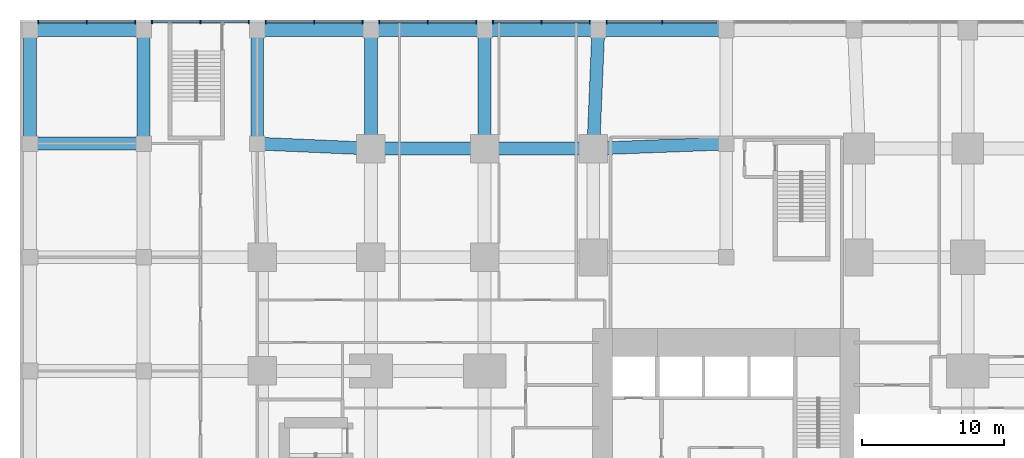
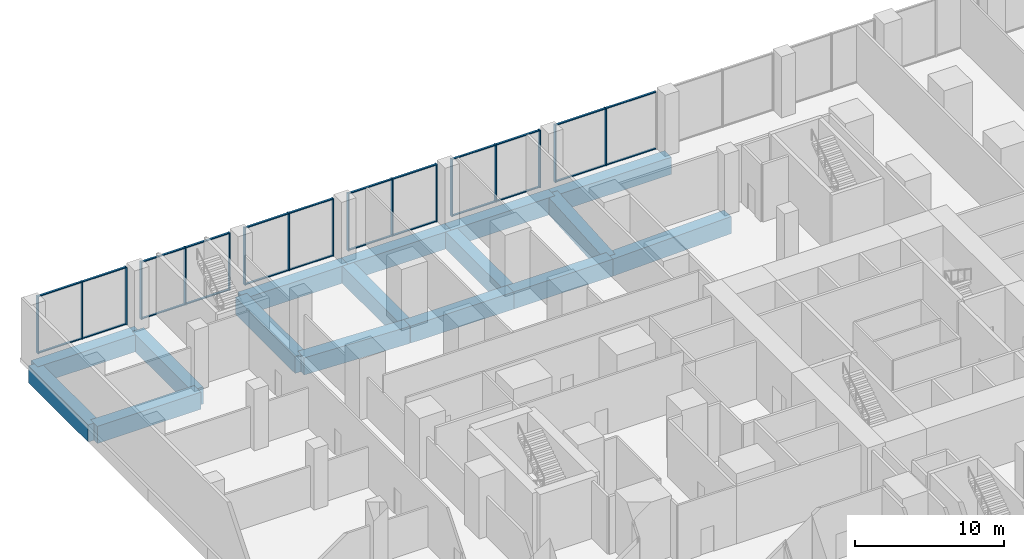
# One storey, part 7 of 22: 41 members, 16 beams, 6 elements without a shape of their own.
"""IFC4 building model written with IfcOpenShell, lengths in metres."""

from ifc_helpers import new_model, si_unit, direction, frame, origin, origin_2d, place, context, subcontext, project, spatial, rectangle, extrude, material, layer, layer_set, material_profile, profile_set, type_object, element, aggregate, save


model = new_model("IFC4")

# Units and contexts
model_context = context("Model", 3, precision=1e-05, world=origin(), true_north=direction((0.0, 1.0)))
body_context = subcontext(model_context, "Body", "Model", "MODEL_VIEW")
ifc_project = project(units=[si_unit("LENGTHUNIT", "METRE"), si_unit("AREAUNIT", "SQUARE_METRE"), si_unit("VOLUMEUNIT", "CUBIC_METRE"), si_unit("PLANEANGLEUNIT", "RADIAN"), si_unit("MASSUNIT", "GRAM", prefix="KILO")], contexts=[model_context])

# Site, building, storey
site_placement = place(None, origin())
site = spatial("IfcSite", under=ifc_project, at=site_placement, CompositionType="ELEMENT")
building_placement = place(site_placement, origin())
building = spatial("IfcBuilding", under=site, at=building_placement, Name="Cleftline Residences", CompositionType="ELEMENT")
storey_placement = place(building_placement, frame((0.0, 0.0, 6.0)))
storey = spatial("IfcBuildingStorey", under=building, at=storey_placement, Name="L01", CompositionType="ELEMENT", Elevation=6.0)

# Beams
ifc_material_1 = material(Name="Concrete B45", Category="concrete")
ifc_material_profile_1 = material_profile(ifc_material_1, rectangle(XDim=0.89990234375, YDim=1.39990234375, at=origin_2d()))
ifc_profile_set_1 = profile_set([ifc_material_profile_1], Name="Concrete B45")
beam_type = type_object("IfcBeamType", Name="BEAM RC900X1400", PredefinedType="BEAM", material=ifc_profile_set_1)
beam_1_placement = place(storey_placement, frame((-16.0, 48.0, -1.0), z_axis=(1.0, 0.0, 0.0), x_axis=(0.0, 1.0, 0.0)))
element("IfcBeam", 1, at=beam_1_placement, inside=storey, type_object=beam_type, Name="Podium beam", PredefinedType="BEAM", context=body_context, shape_type="SweptSolid", body=[
    extrude(rectangle(XDim=0.89990234375, YDim=1.39990234375, at=origin_2d()), origin(), (0.0, 0.0, 1.0), 8.0),
])
beam_2_placement = place(storey_placement, frame((0.0, 48.0, -1.0), z_axis=(0.999043807824, -0.043720361951, 0.0), x_axis=(0.043720361951, 0.999043807824, 0.0)))
element("IfcBeam", 2, at=beam_2_placement, inside=storey, type_object=beam_type, Name="Podium beam", PredefinedType="BEAM", context=body_context, shape_type="SweptSolid", body=[
    extrude(rectangle(XDim=0.89990234375, YDim=1.39990234375, at=origin_2d()), origin(), (0.0, 0.0, 1.0), 8.007568359375),
])
beam_3_placement = place(storey_placement, frame((8.0, 47.64990234375, -1.0), z_axis=(1.0, 0.0, 0.0), x_axis=(0.0, 1.0, 0.0)))
element("IfcBeam", 3, at=beam_3_placement, inside=storey, type_object=beam_type, Name="Podium beam", PredefinedType="BEAM", context=body_context, shape_type="SweptSolid", body=[
    extrude(rectangle(XDim=0.89990234375, YDim=1.39990234375, at=origin_2d()), origin(), (0.0, 0.0, 1.0), 8.0),
])
beam_4_placement = place(storey_placement, frame((16.0, 47.64990234375, -1.0), z_axis=(1.0, 0.0, 0.0), x_axis=(0.0, 1.0, 0.0)))
element("IfcBeam", 4, at=beam_4_placement, inside=storey, type_object=beam_type, Name="Podium beam", PredefinedType="BEAM", context=body_context, shape_type="SweptSolid", body=[
    extrude(rectangle(XDim=0.89990234375, YDim=1.39990234375, at=origin_2d()), origin(), (0.0, 0.0, 1.0), 7.64990234375),
])
beam_5_placement = place(storey_placement, frame((23.64990234375, 47.64990234375, -1.0), z_axis=(0.999299739303, 0.037416988515, 0.0), x_axis=(-0.037416988515, 0.999299739303, 0.0)))
element("IfcBeam", 5, at=beam_5_placement, inside=storey, type_object=beam_type, Name="Podium beam", PredefinedType="BEAM", context=body_context, shape_type="SweptSolid", body=[
    extrude(rectangle(XDim=0.89990234375, YDim=1.39990234375, at=origin_2d()), origin(), (0.0, 0.0, 1.0), 9.356689453125),
])
for number, where, z_axis, x_axis, name in (
    (6, (-16.0, 56.0, -1.0), (1.0, 0.0, 0.0), (0.0, 1.0, 0.0), "Podium beam"),
    (7, (0.0, 56.0, -1.0), (1.0, 0.0, 0.0), (0.0, 1.0, 0.0), "Podium beam"),
    (8, (8.0, 56.0, -1.0), (1.0, 0.0, 0.0), (0.0, 1.0, 0.0), "Podium beam"),
    (9, (16.0, 56.0, -1.0), (1.0, 0.0, 0.0), (0.0, 1.0, 0.0), "Podium beam"),
):
    element("IfcBeam", number, at=place(storey_placement, frame(where, z_axis=z_axis, x_axis=x_axis)), inside=storey, type_object=beam_type, Name=name, PredefinedType="BEAM", context=body_context, shape_type="SweptSolid", body=[
        extrude(rectangle(XDim=0.89990234375, YDim=1.39990234375, at=origin_2d()), origin(), (0.0, 0.0, 1.0), 8.0),
    ])
beam_6_placement = place(storey_placement, frame((24.0, 56.0, -1.0), z_axis=(1.0, 0.0, 0.0), x_axis=(0.0, 1.0, 0.0)))
element("IfcBeam", 10, at=beam_6_placement, inside=storey, type_object=beam_type, Name="Podium beam", PredefinedType="BEAM", context=body_context, shape_type="SweptSolid", body=[
    extrude(rectangle(XDim=0.89990234375, YDim=1.39990234375, at=origin_2d()), origin(), (0.0, 0.0, 1.0), 9.0),
])
for number, where, z_axis, x_axis, name in (
    (11, (-16.0, 48.0, -1.0), (0.0, 1.0, 0.0), (-1.0, 0.0, 0.0), "Podium beam"),
    (12, (-8.0, 48.0, -1.0), (0.0, 1.0, 0.0), (-1.0, 0.0, 0.0), "Podium beam"),
    (13, (0.0, 48.0, -1.0), (0.0, 1.0, 0.0), (-1.0, 0.0, 0.0), "Podium beam"),
):
    element("IfcBeam", number, at=place(storey_placement, frame(where, z_axis=z_axis, x_axis=x_axis)), inside=storey, type_object=beam_type, Name=name, PredefinedType="BEAM", context=body_context, shape_type="SweptSolid", body=[
        extrude(rectangle(XDim=0.89990234375, YDim=1.39990234375, at=origin_2d()), origin(), (0.0, 0.0, 1.0), 8.0),
    ])
for number, where, z_axis, x_axis, name in (
    (14, (8.0, 47.64990234375, -1.0), (0.0, 1.0, 0.0), (-1.0, 0.0, 0.0), "Podium beam"),
    (15, (16.0, 47.64990234375, -1.0), (0.0, 1.0, 0.0), (-1.0, 0.0, 0.0), "Podium beam"),
):
    element("IfcBeam", number, at=place(storey_placement, frame(where, z_axis=z_axis, x_axis=x_axis)), inside=storey, type_object=beam_type, Name=name, PredefinedType="BEAM", context=body_context, shape_type="SweptSolid", body=[
        extrude(rectangle(XDim=0.89990234375, YDim=1.39990234375, at=origin_2d()), origin(), (0.0, 0.0, 1.0), 8.35009765625),
    ])
beam_7_placement = place(storey_placement, frame((23.64990234375, 47.64990234375, -1.0), z_axis=(0.041890569024, 0.999122204851, 0.0), x_axis=(-0.999122204851, 0.041890569024, 0.0)))
element("IfcBeam", 16, at=beam_7_placement, inside=storey, type_object=beam_type, Name="Podium beam", PredefinedType="BEAM", context=body_context, shape_type="SweptSolid", body=[
    extrude(rectangle(XDim=0.89990234375, YDim=1.39990234375, at=origin_2d()), origin(), (0.0, 0.0, 1.0), 8.357421875),
])

# Curtain wall, members
ifc_material_2 = material(Name="Aluminium framed curtain wall", Category="aluminium")
ifc_layer = layer(ifc_material_2, 0.199951171875)
ifc_layer_set = layer_set([ifc_layer], Name="CW2 PODIUM GLAZING")
curtain_wall_type = type_object("IfcCurtainWallType", Name="CW2 PODIUM GLAZING", PredefinedType="NOTDEFINED", material=ifc_layer_set)
curtain_wall_1_placement = place(storey_placement, origin())
curtain_wall_1 = element("IfcCurtainWall", 17, at=curtain_wall_1_placement, inside=storey, type_object=curtain_wall_type, Name="Curtain wall CW2", PredefinedType="NOTDEFINED")
ifc_material_3 = material(Name="Aluminium mullion", Category="aluminium")
ifc_material_profile_2 = material_profile(ifc_material_3, rectangle(XDim=0.25, YDim=0.080078125, at=origin_2d()))
ifc_profile_set_2 = profile_set([ifc_material_profile_2], Name="Aluminium mullion")
member_type_1 = type_object("IfcMemberType", Name="CW2 MULLION", PredefinedType="MULLION", material=ifc_profile_set_2)
member_1_placement = place(storey_placement, frame((28.5, 56.574951171875, 0.0), z_axis=(0.0, 0.0, 1.0), x_axis=(0.0, -1.0, 0.0)))
member_1 = element("IfcMember", 18, at=member_1_placement, type_object=member_type_1, Name="CW2 mullion 2", PredefinedType="MULLION", context=body_context, shape_type="SweptSolid", body=[
    extrude(rectangle(XDim=0.25, YDim=0.080078125, at=origin_2d()), origin(), (0.0, 0.0, 1.0), 4.699951171875),
])
member_2_placement = place(storey_placement, frame((24.590087890625, 56.574951171875, 0.0), z_axis=(0.0, 0.0, 1.0), x_axis=(0.0, -1.0, 0.0)))
member_2 = element("IfcMember", 19, at=member_2_placement, type_object=member_type_1, Name="CW2 mullion 3", PredefinedType="MULLION", context=body_context, shape_type="SweptSolid", body=[
    extrude(rectangle(XDim=0.25, YDim=0.080078125, at=origin_2d()), origin(), (0.0, 0.0, 1.0), 4.699951171875),
])

curtain_wall_2_placement = place(storey_placement, origin())
curtain_wall_2 = element("IfcCurtainWall", 20, at=curtain_wall_2_placement, inside=storey, type_object=curtain_wall_type, Name="Curtain wall CW2", PredefinedType="NOTDEFINED")
member_3_placement = place(storey_placement, frame((23.409912109375, 56.574951171875, 0.0), z_axis=(0.0, 0.0, 1.0), x_axis=(0.0, -1.0, 0.0)))
member_3 = element("IfcMember", 21, at=member_3_placement, type_object=member_type_1, Name="CW2 mullion 1", PredefinedType="MULLION", context=body_context, shape_type="SweptSolid", body=[
    extrude(rectangle(XDim=0.25, YDim=0.080078125, at=origin_2d()), origin(), (0.0, 0.0, 1.0), 4.699951171875),
])
member_4_placement = place(storey_placement, frame((20.0, 56.574951171875, 0.0), z_axis=(0.0, 0.0, 1.0), x_axis=(0.0, -1.0, 0.0)))
member_4 = element("IfcMember", 22, at=member_4_placement, type_object=member_type_1, Name="CW2 mullion 2", PredefinedType="MULLION", context=body_context, shape_type="SweptSolid", body=[
    extrude(rectangle(XDim=0.25, YDim=0.080078125, at=origin_2d()), origin(), (0.0, 0.0, 1.0), 4.699951171875),
])
member_5_placement = place(storey_placement, frame((16.590087890625, 56.574951171875, 0.0), z_axis=(0.0, 0.0, 1.0), x_axis=(0.0, -1.0, 0.0)))
member_5 = element("IfcMember", 23, at=member_5_placement, type_object=member_type_1, Name="CW2 mullion 3", PredefinedType="MULLION", context=body_context, shape_type="SweptSolid", body=[
    extrude(rectangle(XDim=0.25, YDim=0.080078125, at=origin_2d()), origin(), (0.0, 0.0, 1.0), 4.699951171875),
])

curtain_wall_3_placement = place(storey_placement, origin())
curtain_wall_3 = element("IfcCurtainWall", 24, at=curtain_wall_3_placement, inside=storey, type_object=curtain_wall_type, Name="Curtain wall CW2", PredefinedType="NOTDEFINED")
member_6_placement = place(storey_placement, frame((15.409912109375, 56.574951171875, 0.0), z_axis=(0.0, 0.0, 1.0), x_axis=(0.0, -1.0, 0.0)))
member_6 = element("IfcMember", 25, at=member_6_placement, type_object=member_type_1, Name="CW2 mullion 1", PredefinedType="MULLION", context=body_context, shape_type="SweptSolid", body=[
    extrude(rectangle(XDim=0.25, YDim=0.080078125, at=origin_2d()), origin(), (0.0, 0.0, 1.0), 4.699951171875),
])
member_7_placement = place(storey_placement, frame((12.0, 56.574951171875, 0.0), z_axis=(0.0, 0.0, 1.0), x_axis=(0.0, -1.0, 0.0)))
member_7 = element("IfcMember", 26, at=member_7_placement, type_object=member_type_1, Name="CW2 mullion 2", PredefinedType="MULLION", context=body_context, shape_type="SweptSolid", body=[
    extrude(rectangle(XDim=0.25, YDim=0.080078125, at=origin_2d()), origin(), (0.0, 0.0, 1.0), 4.699951171875),
])
member_8_placement = place(storey_placement, frame((8.590087890625, 56.574951171875, 0.0), z_axis=(0.0, 0.0, 1.0), x_axis=(0.0, -1.0, 0.0)))
member_8 = element("IfcMember", 27, at=member_8_placement, type_object=member_type_1, Name="CW2 mullion 3", PredefinedType="MULLION", context=body_context, shape_type="SweptSolid", body=[
    extrude(rectangle(XDim=0.25, YDim=0.080078125, at=origin_2d()), origin(), (0.0, 0.0, 1.0), 4.699951171875),
])

curtain_wall_4_placement = place(storey_placement, origin())
curtain_wall_4 = element("IfcCurtainWall", 28, at=curtain_wall_4_placement, inside=storey, type_object=curtain_wall_type, Name="Curtain wall CW2", PredefinedType="NOTDEFINED")
member_9_placement = place(storey_placement, frame((7.409912109375, 56.574951171875, 0.0), z_axis=(0.0, 0.0, 1.0), x_axis=(0.0, -1.0, 0.0)))
member_9 = element("IfcMember", 29, at=member_9_placement, type_object=member_type_1, Name="CW2 mullion 1", PredefinedType="MULLION", context=body_context, shape_type="SweptSolid", body=[
    extrude(rectangle(XDim=0.25, YDim=0.080078125, at=origin_2d()), origin(), (0.0, 0.0, 1.0), 4.699951171875),
])
member_10_placement = place(storey_placement, frame((4.0, 56.574951171875, 0.0), z_axis=(0.0, 0.0, 1.0), x_axis=(0.0, -1.0, 0.0)))
member_10 = element("IfcMember", 30, at=member_10_placement, type_object=member_type_1, Name="CW2 mullion 2", PredefinedType="MULLION", context=body_context, shape_type="SweptSolid", body=[
    extrude(rectangle(XDim=0.25, YDim=0.080078125, at=origin_2d()), origin(), (0.0, 0.0, 1.0), 4.699951171875),
])
member_11_placement = place(storey_placement, frame((0.590087890625, 56.574951171875, 0.0), z_axis=(0.0, 0.0, 1.0), x_axis=(0.0, -1.0, 0.0)))
member_11 = element("IfcMember", 31, at=member_11_placement, type_object=member_type_1, Name="CW2 mullion 3", PredefinedType="MULLION", context=body_context, shape_type="SweptSolid", body=[
    extrude(rectangle(XDim=0.25, YDim=0.080078125, at=origin_2d()), origin(), (0.0, 0.0, 1.0), 4.699951171875),
])

curtain_wall_5_placement = place(storey_placement, origin())
curtain_wall_5 = element("IfcCurtainWall", 32, at=curtain_wall_5_placement, inside=storey, type_object=curtain_wall_type, Name="Curtain wall CW2", PredefinedType="NOTDEFINED")
member_12_placement = place(storey_placement, frame((-0.590087890625, 56.574951171875, 0.0), z_axis=(0.0, 0.0, 1.0), x_axis=(0.0, -1.0, 0.0)))
member_12 = element("IfcMember", 33, at=member_12_placement, type_object=member_type_1, Name="CW2 mullion 1", PredefinedType="MULLION", context=body_context, shape_type="SweptSolid", body=[
    extrude(rectangle(XDim=0.25, YDim=0.080078125, at=origin_2d()), origin(), (0.0, 0.0, 1.0), 4.699951171875),
])
member_13_placement = place(storey_placement, frame((-4.0, 56.574951171875, 0.0), z_axis=(0.0, 0.0, 1.0), x_axis=(0.0, -1.0, 0.0)))
member_13 = element("IfcMember", 34, at=member_13_placement, type_object=member_type_1, Name="CW2 mullion 2", PredefinedType="MULLION", context=body_context, shape_type="SweptSolid", body=[
    extrude(rectangle(XDim=0.25, YDim=0.080078125, at=origin_2d()), origin(), (0.0, 0.0, 1.0), 4.699951171875),
])
member_14_placement = place(storey_placement, frame((-7.409912109375, 56.574951171875, 0.0), z_axis=(0.0, 0.0, 1.0), x_axis=(0.0, -1.0, 0.0)))
member_14 = element("IfcMember", 35, at=member_14_placement, type_object=member_type_1, Name="CW2 mullion 3", PredefinedType="MULLION", context=body_context, shape_type="SweptSolid", body=[
    extrude(rectangle(XDim=0.25, YDim=0.080078125, at=origin_2d()), origin(), (0.0, 0.0, 1.0), 4.699951171875),
])

curtain_wall_6_placement = place(storey_placement, origin())
curtain_wall_6 = element("IfcCurtainWall", 36, at=curtain_wall_6_placement, inside=storey, type_object=curtain_wall_type, Name="Curtain wall CW2", PredefinedType="NOTDEFINED")
member_15_placement = place(storey_placement, frame((-8.590087890625, 56.574951171875, 0.0), z_axis=(0.0, 0.0, 1.0), x_axis=(0.0, -1.0, 0.0)))
member_15 = element("IfcMember", 37, at=member_15_placement, type_object=member_type_1, Name="CW2 mullion 1", PredefinedType="MULLION", context=body_context, shape_type="SweptSolid", body=[
    extrude(rectangle(XDim=0.25, YDim=0.080078125, at=origin_2d()), origin(), (0.0, 0.0, 1.0), 4.699951171875),
])
member_16_placement = place(storey_placement, frame((-12.0, 56.574951171875, 0.0), z_axis=(0.0, 0.0, 1.0), x_axis=(0.0, -1.0, 0.0)))
member_16 = element("IfcMember", 38, at=member_16_placement, type_object=member_type_1, Name="CW2 mullion 2", PredefinedType="MULLION", context=body_context, shape_type="SweptSolid", body=[
    extrude(rectangle(XDim=0.25, YDim=0.080078125, at=origin_2d()), origin(), (0.0, 0.0, 1.0), 4.699951171875),
])
member_17_placement = place(storey_placement, frame((-15.409912109375, 56.574951171875, 0.0), z_axis=(0.0, 0.0, 1.0), x_axis=(0.0, -1.0, 0.0)))
member_17 = element("IfcMember", 39, at=member_17_placement, type_object=member_type_1, Name="CW2 mullion 3", PredefinedType="MULLION", context=body_context, shape_type="SweptSolid", body=[
    extrude(rectangle(XDim=0.25, YDim=0.080078125, at=origin_2d()), origin(), (0.0, 0.0, 1.0), 4.699951171875),
])

# Member
ifc_material_4 = material(Name="Aluminium transom", Category="aluminium")
ifc_material_profile_3 = material_profile(ifc_material_4, rectangle(XDim=0.14990234375, YDim=0.080078125, at=origin_2d()))
ifc_profile_set_3 = profile_set([ifc_material_profile_3], Name="Aluminium transom")
member_type_2 = type_object("IfcMemberType", Name="CW2 TRANSOM", PredefinedType="USERDEFINED", material=ifc_profile_set_3)
member_18_placement = place(storey_placement, frame((32.3701171875, 56.574951171875, 0.0400390625), z_axis=(-1.0, 0.0, 0.0), x_axis=(0.0, -1.0, 0.0)))
member_18 = element("IfcMember", 40, at=member_18_placement, type_object=member_type_2, Name="CW2 transom 1.1", ObjectType="TRANSOM", PredefinedType="USERDEFINED", context=body_context, shape_type="SweptSolid", body=[
    extrude(rectangle(XDim=0.14990234375, YDim=0.080078125, at=origin_2d()), origin(), (0.0, 0.0, 1.0), 3.830078125),
])

member_19_placement = place(storey_placement, frame((32.3701171875, 56.574951171875, 4.659912109375), z_axis=(-1.0, 0.0, 0.0), x_axis=(0.0, -1.0, 0.0)))
member_19 = element("IfcMember", 41, at=member_19_placement, type_object=member_type_2, Name="CW2 transom 1.2", ObjectType="TRANSOM", PredefinedType="USERDEFINED", context=body_context, shape_type="SweptSolid", body=[
    extrude(rectangle(XDim=0.14990234375, YDim=0.080078125, at=origin_2d()), origin(), (0.0, 0.0, 1.0), 3.830078125),
])

member_20_placement = place(storey_placement, frame((28.4599609375, 56.574951171875, 0.0400390625), z_axis=(-1.0, 0.0, 0.0), x_axis=(0.0, -1.0, 0.0)))
member_20 = element("IfcMember", 42, at=member_20_placement, type_object=member_type_2, Name="CW2 transom 2.1", ObjectType="TRANSOM", PredefinedType="USERDEFINED", context=body_context, shape_type="SweptSolid", body=[
    extrude(rectangle(XDim=0.14990234375, YDim=0.080078125, at=origin_2d()), origin(), (0.0, 0.0, 1.0), 3.830078125),
])

member_21_placement = place(storey_placement, frame((28.4599609375, 56.574951171875, 4.659912109375), z_axis=(-1.0, 0.0, 0.0), x_axis=(0.0, -1.0, 0.0)))
member_21 = element("IfcMember", 43, at=member_21_placement, type_object=member_type_2, Name="CW2 transom 2.2", ObjectType="TRANSOM", PredefinedType="USERDEFINED", context=body_context, shape_type="SweptSolid", body=[
    extrude(rectangle(XDim=0.14990234375, YDim=0.080078125, at=origin_2d()), origin(), (0.0, 0.0, 1.0), 3.830078125),
])

aggregate(curtain_wall_1, [member_1, member_2, member_18, member_19, member_20, member_21])

member_22_placement = place(storey_placement, frame((23.3701171875, 56.574951171875, 0.0400390625), z_axis=(-1.0, 0.0, 0.0), x_axis=(0.0, -1.0, 0.0)))
member_22 = element("IfcMember", 44, at=member_22_placement, type_object=member_type_2, Name="CW2 transom 1.1", ObjectType="TRANSOM", PredefinedType="USERDEFINED", context=body_context, shape_type="SweptSolid", body=[
    extrude(rectangle(XDim=0.14990234375, YDim=0.080078125, at=origin_2d()), origin(), (0.0, 0.0, 1.0), 3.330078125),
])

member_23_placement = place(storey_placement, frame((23.3701171875, 56.574951171875, 4.659912109375), z_axis=(-1.0, 0.0, 0.0), x_axis=(0.0, -1.0, 0.0)))
member_23 = element("IfcMember", 45, at=member_23_placement, type_object=member_type_2, Name="CW2 transom 1.2", ObjectType="TRANSOM", PredefinedType="USERDEFINED", context=body_context, shape_type="SweptSolid", body=[
    extrude(rectangle(XDim=0.14990234375, YDim=0.080078125, at=origin_2d()), origin(), (0.0, 0.0, 1.0), 3.330078125),
])

member_24_placement = place(storey_placement, frame((19.9599609375, 56.574951171875, 0.0400390625), z_axis=(-1.0, 0.0, 0.0), x_axis=(0.0, -1.0, 0.0)))
member_24 = element("IfcMember", 46, at=member_24_placement, type_object=member_type_2, Name="CW2 transom 2.1", ObjectType="TRANSOM", PredefinedType="USERDEFINED", context=body_context, shape_type="SweptSolid", body=[
    extrude(rectangle(XDim=0.14990234375, YDim=0.080078125, at=origin_2d()), origin(), (0.0, 0.0, 1.0), 3.330078125),
])

member_25_placement = place(storey_placement, frame((19.9599609375, 56.574951171875, 4.659912109375), z_axis=(-1.0, 0.0, 0.0), x_axis=(0.0, -1.0, 0.0)))
member_25 = element("IfcMember", 47, at=member_25_placement, type_object=member_type_2, Name="CW2 transom 2.2", ObjectType="TRANSOM", PredefinedType="USERDEFINED", context=body_context, shape_type="SweptSolid", body=[
    extrude(rectangle(XDim=0.14990234375, YDim=0.080078125, at=origin_2d()), origin(), (0.0, 0.0, 1.0), 3.330078125),
])

aggregate(curtain_wall_2, [member_3, member_4, member_5, member_22, member_23, member_24, member_25])

member_26_placement = place(storey_placement, frame((15.3701171875, 56.574951171875, 0.0400390625), z_axis=(-1.0, 0.0, 0.0), x_axis=(0.0, -1.0, 0.0)))
member_26 = element("IfcMember", 48, at=member_26_placement, type_object=member_type_2, Name="CW2 transom 1.1", ObjectType="TRANSOM", PredefinedType="USERDEFINED", context=body_context, shape_type="SweptSolid", body=[
    extrude(rectangle(XDim=0.14990234375, YDim=0.080078125, at=origin_2d()), origin(), (0.0, 0.0, 1.0), 3.330078125),
])

member_27_placement = place(storey_placement, frame((15.3701171875, 56.574951171875, 4.659912109375), z_axis=(-1.0, 0.0, 0.0), x_axis=(0.0, -1.0, 0.0)))
member_27 = element("IfcMember", 49, at=member_27_placement, type_object=member_type_2, Name="CW2 transom 1.2", ObjectType="TRANSOM", PredefinedType="USERDEFINED", context=body_context, shape_type="SweptSolid", body=[
    extrude(rectangle(XDim=0.14990234375, YDim=0.080078125, at=origin_2d()), origin(), (0.0, 0.0, 1.0), 3.330078125),
])

member_28_placement = place(storey_placement, frame((11.9599609375, 56.574951171875, 0.0400390625), z_axis=(-1.0, 0.0, 0.0), x_axis=(0.0, -1.0, 0.0)))
member_28 = element("IfcMember", 50, at=member_28_placement, type_object=member_type_2, Name="CW2 transom 2.1", ObjectType="TRANSOM", PredefinedType="USERDEFINED", context=body_context, shape_type="SweptSolid", body=[
    extrude(rectangle(XDim=0.14990234375, YDim=0.080078125, at=origin_2d()), origin(), (0.0, 0.0, 1.0), 3.330078125),
])

member_29_placement = place(storey_placement, frame((11.9599609375, 56.574951171875, 4.659912109375), z_axis=(-1.0, 0.0, 0.0), x_axis=(0.0, -1.0, 0.0)))
member_29 = element("IfcMember", 51, at=member_29_placement, type_object=member_type_2, Name="CW2 transom 2.2", ObjectType="TRANSOM", PredefinedType="USERDEFINED", context=body_context, shape_type="SweptSolid", body=[
    extrude(rectangle(XDim=0.14990234375, YDim=0.080078125, at=origin_2d()), origin(), (0.0, 0.0, 1.0), 3.330078125),
])

aggregate(curtain_wall_3, [member_6, member_7, member_8, member_26, member_27, member_28, member_29])

member_30_placement = place(storey_placement, frame((7.3701171875, 56.574951171875, 0.0400390625), z_axis=(-1.0, 0.0, 0.0), x_axis=(0.0, -1.0, 0.0)))
member_30 = element("IfcMember", 52, at=member_30_placement, type_object=member_type_2, Name="CW2 transom 1.1", ObjectType="TRANSOM", PredefinedType="USERDEFINED", context=body_context, shape_type="SweptSolid", body=[
    extrude(rectangle(XDim=0.14990234375, YDim=0.080078125, at=origin_2d()), origin(), (0.0, 0.0, 1.0), 3.330078125),
])

member_31_placement = place(storey_placement, frame((7.3701171875, 56.574951171875, 4.659912109375), z_axis=(-1.0, 0.0, 0.0), x_axis=(0.0, -1.0, 0.0)))
member_31 = element("IfcMember", 53, at=member_31_placement, type_object=member_type_2, Name="CW2 transom 1.2", ObjectType="TRANSOM", PredefinedType="USERDEFINED", context=body_context, shape_type="SweptSolid", body=[
    extrude(rectangle(XDim=0.14990234375, YDim=0.080078125, at=origin_2d()), origin(), (0.0, 0.0, 1.0), 3.330078125),
])

member_32_placement = place(storey_placement, frame((3.9599609375, 56.574951171875, 0.0400390625), z_axis=(-1.0, 0.0, 0.0), x_axis=(0.0, -1.0, 0.0)))
member_32 = element("IfcMember", 54, at=member_32_placement, type_object=member_type_2, Name="CW2 transom 2.1", ObjectType="TRANSOM", PredefinedType="USERDEFINED", context=body_context, shape_type="SweptSolid", body=[
    extrude(rectangle(XDim=0.14990234375, YDim=0.080078125, at=origin_2d()), origin(), (0.0, 0.0, 1.0), 3.330078125),
])

member_33_placement = place(storey_placement, frame((3.9599609375, 56.574951171875, 4.659912109375), z_axis=(-1.0, 0.0, 0.0), x_axis=(0.0, -1.0, 0.0)))
member_33 = element("IfcMember", 55, at=member_33_placement, type_object=member_type_2, Name="CW2 transom 2.2", ObjectType="TRANSOM", PredefinedType="USERDEFINED", context=body_context, shape_type="SweptSolid", body=[
    extrude(rectangle(XDim=0.14990234375, YDim=0.080078125, at=origin_2d()), origin(), (0.0, 0.0, 1.0), 3.330078125),
])

aggregate(curtain_wall_4, [member_9, member_10, member_11, member_30, member_31, member_32, member_33])

member_34_placement = place(storey_placement, frame((-0.6298828125, 56.574951171875, 0.0400390625), z_axis=(-1.0, 0.0, 0.0), x_axis=(0.0, -1.0, 0.0)))
member_34 = element("IfcMember", 56, at=member_34_placement, type_object=member_type_2, Name="CW2 transom 1.1", ObjectType="TRANSOM", PredefinedType="USERDEFINED", context=body_context, shape_type="SweptSolid", body=[
    extrude(rectangle(XDim=0.14990234375, YDim=0.080078125, at=origin_2d()), origin(), (0.0, 0.0, 1.0), 3.330078125),
])

member_35_placement = place(storey_placement, frame((-0.6298828125, 56.574951171875, 4.659912109375), z_axis=(-1.0, 0.0, 0.0), x_axis=(0.0, -1.0, 0.0)))
member_35 = element("IfcMember", 57, at=member_35_placement, type_object=member_type_2, Name="CW2 transom 1.2", ObjectType="TRANSOM", PredefinedType="USERDEFINED", context=body_context, shape_type="SweptSolid", body=[
    extrude(rectangle(XDim=0.14990234375, YDim=0.080078125, at=origin_2d()), origin(), (0.0, 0.0, 1.0), 3.330078125),
])

member_36_placement = place(storey_placement, frame((-4.0400390625, 56.574951171875, 0.0400390625), z_axis=(-1.0, 0.0, 0.0), x_axis=(0.0, -1.0, 0.0)))
member_36 = element("IfcMember", 58, at=member_36_placement, type_object=member_type_2, Name="CW2 transom 2.1", ObjectType="TRANSOM", PredefinedType="USERDEFINED", context=body_context, shape_type="SweptSolid", body=[
    extrude(rectangle(XDim=0.14990234375, YDim=0.080078125, at=origin_2d()), origin(), (0.0, 0.0, 1.0), 3.330078125),
])

member_37_placement = place(storey_placement, frame((-4.0400390625, 56.574951171875, 4.659912109375), z_axis=(-1.0, 0.0, 0.0), x_axis=(0.0, -1.0, 0.0)))
member_37 = element("IfcMember", 59, at=member_37_placement, type_object=member_type_2, Name="CW2 transom 2.2", ObjectType="TRANSOM", PredefinedType="USERDEFINED", context=body_context, shape_type="SweptSolid", body=[
    extrude(rectangle(XDim=0.14990234375, YDim=0.080078125, at=origin_2d()), origin(), (0.0, 0.0, 1.0), 3.330078125),
])

aggregate(curtain_wall_5, [member_12, member_13, member_14, member_34, member_35, member_36, member_37])

member_38_placement = place(storey_placement, frame((-8.6298828125, 56.574951171875, 0.0400390625), z_axis=(-1.0, 0.0, 0.0), x_axis=(0.0, -1.0, 0.0)))
member_38 = element("IfcMember", 60, at=member_38_placement, type_object=member_type_2, Name="CW2 transom 1.1", ObjectType="TRANSOM", PredefinedType="USERDEFINED", context=body_context, shape_type="SweptSolid", body=[
    extrude(rectangle(XDim=0.14990234375, YDim=0.080078125, at=origin_2d()), origin(), (0.0, 0.0, 1.0), 3.330078125),
])

member_39_placement = place(storey_placement, frame((-8.6298828125, 56.574951171875, 4.659912109375), z_axis=(-1.0, 0.0, 0.0), x_axis=(0.0, -1.0, 0.0)))
member_39 = element("IfcMember", 61, at=member_39_placement, type_object=member_type_2, Name="CW2 transom 1.2", ObjectType="TRANSOM", PredefinedType="USERDEFINED", context=body_context, shape_type="SweptSolid", body=[
    extrude(rectangle(XDim=0.14990234375, YDim=0.080078125, at=origin_2d()), origin(), (0.0, 0.0, 1.0), 3.330078125),
])

member_40_placement = place(storey_placement, frame((-12.0400390625, 56.574951171875, 0.0400390625), z_axis=(-1.0, 0.0, 0.0), x_axis=(0.0, -1.0, 0.0)))
member_40 = element("IfcMember", 62, at=member_40_placement, type_object=member_type_2, Name="CW2 transom 2.1", ObjectType="TRANSOM", PredefinedType="USERDEFINED", context=body_context, shape_type="SweptSolid", body=[
    extrude(rectangle(XDim=0.14990234375, YDim=0.080078125, at=origin_2d()), origin(), (0.0, 0.0, 1.0), 3.330078125),
])

member_41_placement = place(storey_placement, frame((-12.0400390625, 56.574951171875, 4.659912109375), z_axis=(-1.0, 0.0, 0.0), x_axis=(0.0, -1.0, 0.0)))
member_41 = element("IfcMember", 63, at=member_41_placement, type_object=member_type_2, Name="CW2 transom 2.2", ObjectType="TRANSOM", PredefinedType="USERDEFINED", context=body_context, shape_type="SweptSolid", body=[
    extrude(rectangle(XDim=0.14990234375, YDim=0.080078125, at=origin_2d()), origin(), (0.0, 0.0, 1.0), 3.330078125),
])

aggregate(curtain_wall_6, [member_15, member_16, member_17, member_38, member_39, member_40, member_41])

save(model, "model.ifc")
